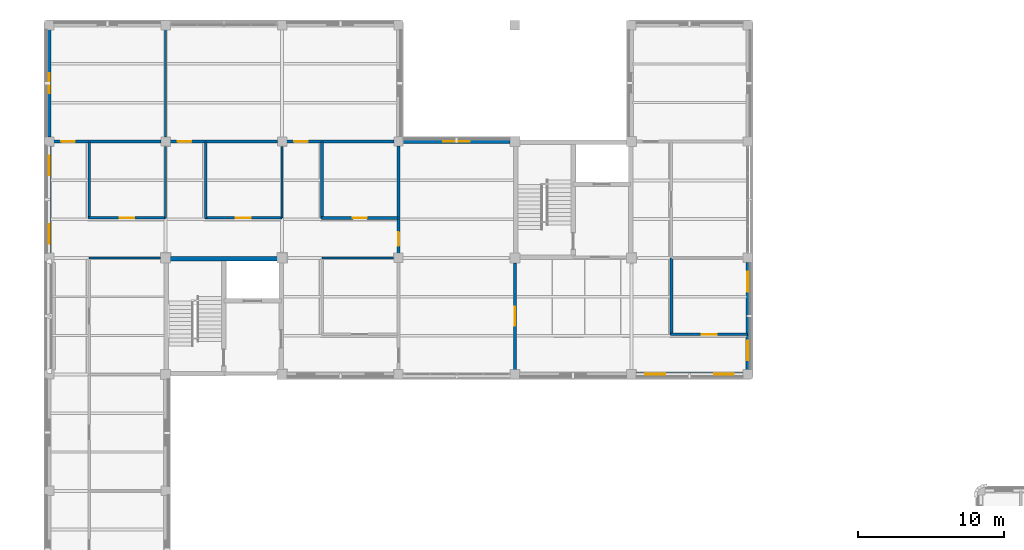
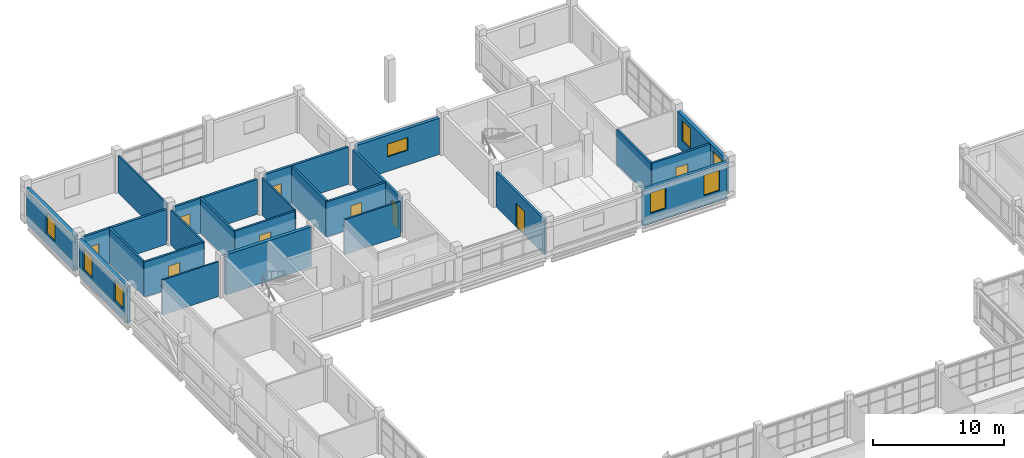
# One storey, part 79 of 107: 24 walls, 9 doors, 8 windows, 17 openings.
"""IFC4 building model written with IfcOpenShell, lengths in metres."""

from ifc_helpers import new_model, si_unit, derived_unit, direction, frame, frame_2d, origin, place, context, subcontext, project, spatial, rectangle, extrude, material, layer, layer_set, type_object, element, fill, save


model = new_model("IFC4")

# Units and contexts
model_context = context("Model", 3, precision=1e-05, world=origin(), true_north=direction((0.0, 1.0)))
body_context = subcontext(model_context, "Body", "Model", "MODEL_VIEW")
ifc_project = project(units=[si_unit("LENGTHUNIT", "METRE"), si_unit("AREAUNIT", "SQUARE_METRE"), si_unit("VOLUMEUNIT", "CUBIC_METRE"), si_unit("PLANEANGLEUNIT", "RADIAN"), si_unit("MASSUNIT", "GRAM", prefix="KILO"), derived_unit("THERMALTRANSMITTANCEUNIT", [(si_unit("MASSUNIT", "GRAM", prefix="KILO"), 1), (si_unit("TIMEUNIT", "SECOND"), -3), (si_unit("THERMODYNAMICTEMPERATUREUNIT", "KELVIN"), -1)])], contexts=[model_context])

# Site, building, storey
site_placement = place(None, origin())
site = spatial("IfcSite", under=ifc_project, at=site_placement, CompositionType="ELEMENT")
building_placement = place(site_placement, origin())
building = spatial("IfcBuilding", under=site, at=building_placement, Name="Veyamyaing Civic Hall", CompositionType="ELEMENT")
storey_placement = place(building_placement, frame((0.0, 0.0, 13.860107421875)))
storey = spatial("IfcBuildingStorey", under=building, at=storey_placement, Name="L03", CompositionType="ELEMENT", Elevation=13.860107421875)

# Wall, openings, windows
ifc_material_1 = material(Name="Precast concrete C40/50", Category="concrete")
ifc_layer_1 = layer(ifc_material_1, 0.280029296875, Name="Precast concrete C40/50")
ifc_layer_set_1 = layer_set([ifc_layer_1], Name="Precast concrete C40/50")
wall_type_1 = type_object("IfcWallType", Name="WT-04", PredefinedType="SOLIDWALL", material=ifc_layer_set_1)
wall_1_placement = place(storey_placement, frame((0.0, 96.31005859375, 0.0), z_axis=(0.0, 0.0, 1.0), x_axis=(0.0, 1.0, 0.0)))
wall_1 = element("IfcWall", 1, at=wall_1_placement, inside=storey, type_object=wall_type_1, Name="Exterior facade wall WT-04 L03 W 1.13", PredefinedType="SOLIDWALL", context=body_context, shape_type="SweptSolid", body=[
    extrude(rectangle(XDim=7.3798828125, YDim=0.280029296875, at=frame_2d((3.68994140625, 0.0))), origin(), (0.0, 0.0, 1.0), 3.366943359375),
])
opening_1_placement = place(wall_1_placement, frame((0.6533203125, 0.0, 0.949951171875)))
opening_1 = element("IfcOpeningElement", 2, at=opening_1_placement, cuts=wall_1, Name="Opening W-13", PredefinedType="OPENING", context=body_context, shape_type="SweptSolid", body=[
    extrude(rectangle(XDim=1.35009765625, YDim=1.89990234375, at=frame_2d((0.675048828125, 0.949951171875))), frame((0.0, 0.14990234375, 0.0), z_axis=(0.0, -1.0, 0.0), x_axis=(1.0, 0.0, 0.0)), (0.0, 0.0, 1.0), 0.300048828125),
])
opening_2_placement = place(wall_1_placement, frame((5.376708984375, 0.0, 0.949951171875)))
opening_2 = element("IfcOpeningElement", 3, at=opening_2_placement, cuts=wall_1, Name="Opening W-13", PredefinedType="OPENING", context=body_context, shape_type="SweptSolid", body=[
    extrude(rectangle(XDim=1.35009765625, YDim=1.89990234375, at=frame_2d((0.675048828125, 0.949951171875))), frame((0.0, 0.14990234375, 0.0), z_axis=(0.0, -1.0, 0.0), x_axis=(1.0, 0.0, 0.0)), (0.0, 0.0, 1.0), 0.300048828125),
])
ifc_material_2 = material(Name="Low-E insulated glass", Category="glass")
window_type_1 = type_object("IfcWindowType", Name="W-13", PartitioningType="SINGLE_PANEL", PredefinedType="WINDOW", material=ifc_material_2)
window_1_placement = place(opening_1_placement, origin())
window_1 = element("IfcWindow", 4, at=window_1_placement, inside=storey, type_object=window_type_1, Name="Facade window W-13 L03 W 1.13.1", OverallHeight=1.89990234375, OverallWidth=1.35009765625, PartitioningType="SINGLE_PANEL", PredefinedType="WINDOW", context=body_context, shape_type="SweptSolid", body=[
    extrude(rectangle(XDim=1.35009765625, YDim=1.89990234375, at=frame_2d((0.675048828125, 0.949951171875))), frame((0.0, 0.030029296875, 0.0), z_axis=(0.0, -1.0, 0.0), x_axis=(1.0, 0.0, 0.0)), (0.0, 0.0, 1.0), 0.06005859375),
])
fill(opening_1, window_1)
window_2_placement = place(opening_2_placement, origin())
window_2 = element("IfcWindow", 5, at=window_2_placement, inside=storey, type_object=window_type_1, Name="Facade window W-13 L03 W 1.13.2", OverallHeight=1.89990234375, OverallWidth=1.35009765625, PartitioningType="SINGLE_PANEL", PredefinedType="WINDOW", context=body_context, shape_type="SweptSolid", body=[
    extrude(rectangle(XDim=1.35009765625, YDim=1.89990234375, at=frame_2d((0.675048828125, 0.949951171875))), frame((0.0, 0.030029296875, 0.0), z_axis=(0.0, -1.0, 0.0), x_axis=(1.0, 0.0, 0.0)), (0.0, 0.0, 1.0), 0.06005859375),
])
fill(opening_2, window_2)

# Wall, opening, window
wall_2_placement = place(storey_placement, frame((0.0, 104.31005859375, 0.0), z_axis=(0.0, 0.0, 1.0), x_axis=(0.0, 1.0, 0.0)))
wall_2 = element("IfcWall", 6, at=wall_2_placement, inside=storey, type_object=wall_type_1, Name="Exterior facade wall WT-04 L03 W 1.14", PredefinedType="SOLIDWALL", context=body_context, shape_type="SweptSolid", body=[
    extrude(rectangle(XDim=7.3798828125, YDim=0.280029296875, at=frame_2d((3.68994140625, 0.0))), origin(), (0.0, 0.0, 1.0), 3.2998046875),
])
opening_3_placement = place(wall_2_placement, frame((3.014892578125, 0.0, 0.89990234375)))
opening_3 = element("IfcOpeningElement", 7, at=opening_3_placement, cuts=wall_2, Name="Opening W-13", PredefinedType="OPENING", context=body_context, shape_type="SweptSolid", body=[
    extrude(rectangle(XDim=1.35009765625, YDim=1.89990234375, at=frame_2d((0.675048828125, 0.949951171875))), frame((0.0, 0.14990234375, 0.0), z_axis=(0.0, -1.0, 0.0), x_axis=(1.0, 0.0, 0.0)), (0.0, 0.0, 1.0), 0.300048828125),
])
window_3_placement = place(opening_3_placement, origin())
window_3 = element("IfcWindow", 8, at=window_3_placement, inside=storey, type_object=window_type_1, Name="Facade window W-13 L03 W 1.14", OverallHeight=1.89990234375, OverallWidth=1.35009765625, PartitioningType="SINGLE_PANEL", PredefinedType="WINDOW", context=body_context, shape_type="SweptSolid", body=[
    extrude(rectangle(XDim=1.35009765625, YDim=1.89990234375, at=frame_2d((0.675048828125, 0.949951171875))), frame((0.0, 0.030029296875, 0.0), z_axis=(0.0, -1.0, 0.0), x_axis=(1.0, 0.0, 0.0)), (0.0, 0.0, 1.0), 0.06005859375),
])
fill(opening_3, window_3)

wall_3_placement = place(storey_placement, frame((24.31005859375, 104.0, 0.0), z_axis=(0.0, 0.0, 1.0), x_axis=(1.0, 0.0, 0.0)))
wall_3 = element("IfcWall", 9, at=wall_3_placement, inside=storey, type_object=wall_type_1, Name="Exterior facade wall WT-04 L03 N 4.13", PredefinedType="SOLIDWALL", context=body_context, shape_type="SweptSolid", body=[
    extrude(rectangle(XDim=7.35498046875, YDim=0.280029296875, at=frame_2d((3.677490234375, 0.0))), origin(), (0.0, 0.0, 1.0), 3.366943359375),
])
opening_4_placement = place(wall_3_placement, frame((2.777587890625, 0.0, 1.35009765625)))
opening_4 = element("IfcOpeningElement", 10, at=opening_4_placement, cuts=wall_3, Name="Opening W-19", PredefinedType="OPENING", context=body_context, shape_type="SweptSolid", body=[
    extrude(rectangle(XDim=1.800048828125, YDim=1.199951171875, at=frame_2d((0.89990234375, 0.60009765625))), frame((0.0, 0.14990234375, 0.0), z_axis=(0.0, -1.0, 0.0), x_axis=(1.0, 0.0, 0.0)), (0.0, 0.0, 1.0), 0.300048828125),
])
window_type_2 = type_object("IfcWindowType", Name="W-19", PartitioningType="SINGLE_PANEL", PredefinedType="WINDOW", material=ifc_material_2)
window_4_placement = place(opening_4_placement, origin())
window_4 = element("IfcWindow", 11, at=window_4_placement, inside=storey, type_object=window_type_2, Name="Facade window W-19 L03 N 4.13", OverallHeight=1.199951171875, OverallWidth=1.800048828125, PartitioningType="SINGLE_PANEL", PredefinedType="WINDOW", context=body_context, shape_type="SweptSolid", body=[
    extrude(rectangle(XDim=1.800048828125, YDim=1.199951171875, at=frame_2d((0.89990234375, 0.60009765625))), frame((0.0, 0.030029296875, 0.0), z_axis=(0.0, -1.0, 0.0), x_axis=(1.0, 0.0, 0.0)), (0.0, 0.0, 1.0), 0.06005859375),
])
fill(opening_4, window_4)

# Wall, openings, windows
wall_4_placement = place(storey_placement, frame((40.31005859375, 88.0, 0.0), z_axis=(0.0, 0.0, 1.0), x_axis=(1.0, 0.0, 0.0)))
wall_4 = element("IfcWall", 12, at=wall_4_placement, inside=storey, type_object=wall_type_1, Name="Exterior facade wall WT-04 L03 S 6.12", PredefinedType="SOLIDWALL", context=body_context, shape_type="SweptSolid", body=[
    extrude(rectangle(XDim=7.3798828125, YDim=0.280029296875, at=frame_2d((3.68994140625, 0.0))), origin(), (0.0, 0.0, 1.0), 3.366943359375),
])
opening_5_placement = place(wall_4_placement, frame((0.6533203125, 0.0, 0.949951171875)))
opening_5 = element("IfcOpeningElement", 13, at=opening_5_placement, cuts=wall_4, Name="Opening W-13", PredefinedType="OPENING", context=body_context, shape_type="SweptSolid", body=[
    extrude(rectangle(XDim=1.35009765625, YDim=1.89990234375, at=frame_2d((0.675048828125, 0.949951171875))), frame((0.0, 0.14990234375, 0.0), z_axis=(0.0, -1.0, 0.0), x_axis=(1.0, 0.0, 0.0)), (0.0, 0.0, 1.0), 0.300048828125),
])
opening_6_placement = place(wall_4_placement, frame((5.376708984375, 0.0, 0.949951171875)))
opening_6 = element("IfcOpeningElement", 14, at=opening_6_placement, cuts=wall_4, Name="Opening W-13", PredefinedType="OPENING", context=body_context, shape_type="SweptSolid", body=[
    extrude(rectangle(XDim=1.35009765625, YDim=1.89990234375, at=frame_2d((0.675048828125, 0.949951171875))), frame((0.0, 0.14990234375, 0.0), z_axis=(0.0, -1.0, 0.0), x_axis=(1.0, 0.0, 0.0)), (0.0, 0.0, 1.0), 0.300048828125),
])
window_5_placement = place(opening_5_placement, origin())
window_5 = element("IfcWindow", 15, at=window_5_placement, inside=storey, type_object=window_type_1, Name="Facade window W-13 L03 S 6.12.1", OverallHeight=1.89990234375, OverallWidth=1.35009765625, PartitioningType="SINGLE_PANEL", PredefinedType="WINDOW", context=body_context, shape_type="SweptSolid", body=[
    extrude(rectangle(XDim=1.35009765625, YDim=1.89990234375, at=frame_2d((0.675048828125, 0.949951171875))), frame((0.0, 0.030029296875, 0.0), z_axis=(0.0, -1.0, 0.0), x_axis=(1.0, 0.0, 0.0)), (0.0, 0.0, 1.0), 0.06005859375),
])
fill(opening_5, window_5)
window_6_placement = place(opening_6_placement, origin())
window_6 = element("IfcWindow", 16, at=window_6_placement, inside=storey, type_object=window_type_1, Name="Facade window W-13 L03 S 6.12.2", OverallHeight=1.89990234375, OverallWidth=1.35009765625, PartitioningType="SINGLE_PANEL", PredefinedType="WINDOW", context=body_context, shape_type="SweptSolid", body=[
    extrude(rectangle(XDim=1.35009765625, YDim=1.89990234375, at=frame_2d((0.675048828125, 0.949951171875))), frame((0.0, 0.030029296875, 0.0), z_axis=(0.0, -1.0, 0.0), x_axis=(1.0, 0.0, 0.0)), (0.0, 0.0, 1.0), 0.06005859375),
])
fill(opening_6, window_6)

wall_5_placement = place(storey_placement, frame((48.0, 88.31005859375, 0.0), z_axis=(0.0, 0.0, 1.0), x_axis=(0.0, 1.0, 0.0)))
wall_5 = element("IfcWall", 17, at=wall_5_placement, inside=storey, type_object=wall_type_1, Name="Exterior facade wall WT-04 L03 E 6.12", PredefinedType="SOLIDWALL", context=body_context, shape_type="SweptSolid", body=[
    extrude(rectangle(XDim=7.3798828125, YDim=0.280029296875, at=frame_2d((3.68994140625, 0.0))), origin(), (0.0, 0.0, 1.0), 3.2998046875),
])
opening_7_placement = place(wall_5_placement, frame((0.6533203125, 0.0, 0.949951171875)))
opening_7 = element("IfcOpeningElement", 18, at=opening_7_placement, cuts=wall_5, Name="Opening W-13", PredefinedType="OPENING", context=body_context, shape_type="SweptSolid", body=[
    extrude(rectangle(XDim=1.35009765625, YDim=1.89990234375, at=frame_2d((0.675048828125, 0.949951171875))), frame((0.0, 0.14990234375, 0.0), z_axis=(0.0, -1.0, 0.0), x_axis=(1.0, 0.0, 0.0)), (0.0, 0.0, 1.0), 0.300048828125),
])
opening_8_placement = place(wall_5_placement, frame((5.376708984375, 0.0, 0.949951171875)))
opening_8 = element("IfcOpeningElement", 19, at=opening_8_placement, cuts=wall_5, Name="Opening W-13", PredefinedType="OPENING", context=body_context, shape_type="SweptSolid", body=[
    extrude(rectangle(XDim=1.35009765625, YDim=1.89990234375, at=frame_2d((0.675048828125, 0.949951171875))), frame((0.0, 0.14990234375, 0.0), z_axis=(0.0, -1.0, 0.0), x_axis=(1.0, 0.0, 0.0)), (0.0, 0.0, 1.0), 0.300048828125),
])
window_7_placement = place(opening_7_placement, origin())
window_7 = element("IfcWindow", 20, at=window_7_placement, inside=storey, type_object=window_type_1, Name="Facade window W-13 L03 E 6.12.1", OverallHeight=1.89990234375, OverallWidth=1.35009765625, PartitioningType="SINGLE_PANEL", PredefinedType="WINDOW", context=body_context, shape_type="SweptSolid", body=[
    extrude(rectangle(XDim=1.35009765625, YDim=1.89990234375, at=frame_2d((0.675048828125, 0.949951171875))), frame((0.0, 0.030029296875, 0.0), z_axis=(0.0, -1.0, 0.0), x_axis=(1.0, 0.0, 0.0)), (0.0, 0.0, 1.0), 0.06005859375),
])
fill(opening_7, window_7)
window_8_placement = place(opening_8_placement, origin())
window_8 = element("IfcWindow", 21, at=window_8_placement, inside=storey, type_object=window_type_1, Name="Facade window W-13 L03 E 6.12.2", OverallHeight=1.89990234375, OverallWidth=1.35009765625, PartitioningType="SINGLE_PANEL", PredefinedType="WINDOW", context=body_context, shape_type="SweptSolid", body=[
    extrude(rectangle(XDim=1.35009765625, YDim=1.89990234375, at=frame_2d((0.675048828125, 0.949951171875))), frame((0.0, 0.030029296875, 0.0), z_axis=(0.0, -1.0, 0.0), x_axis=(1.0, 0.0, 0.0)), (0.0, 0.0, 1.0), 0.06005859375),
])
fill(opening_8, window_8)

# Wall
ifc_material_3 = material(Name="Concrete C40/50", Category="concrete")
ifc_layer_2 = layer(ifc_material_3, 0.300048828125, Name="Concrete C40/50")
ifc_layer_set_2 = layer_set([ifc_layer_2], Name="Concrete C40/50")
wall_type_2 = type_object("IfcWallType", Name="WT-05", PredefinedType="SHEAR", material=ifc_layer_set_2)
wall_6_placement = place(storey_placement, frame((8.239990234375, 95.949951171875, 0.0), z_axis=(0.0, 0.0, 1.0), x_axis=(1.0, 0.0, 0.0)))
element("IfcWall", 22, at=wall_6_placement, inside=storey, type_object=wall_type_2, Name="Core shear wall WT-05 CORE-1 L03.N", PredefinedType="SHEAR", context=body_context, shape_type="SweptSolid", body=[
    extrude(rectangle(XDim=7.52001953125, YDim=0.300048828125, at=frame_2d((3.760009765625, 0.0))), origin(), (0.0, 0.0, 1.0), 3.724853515625),
])

# Wall, opening, door
ifc_layer_3 = layer(ifc_material_3, 0.199951171875, Name="Concrete C40/50")
ifc_layer_set_3 = layer_set([ifc_layer_3], Name="Concrete C40/50")
wall_type_3 = type_object("IfcWallType", Name="WT-06", PredefinedType="PARTITIONING", material=ifc_layer_set_3)
wall_7_placement = place(storey_placement, frame((0.31494140625, 104.0, 0.0), z_axis=(0.0, 0.0, 1.0), x_axis=(1.0, 0.0, 0.0)))
wall_7 = element("IfcWall", 23, at=wall_7_placement, inside=storey, type_object=wall_type_3, Name="Interior partition wall WT-06 L03.3", PredefinedType="PARTITIONING", context=body_context, shape_type="SweptSolid", body=[
    extrude(rectangle(XDim=7.3701171875, YDim=0.199951171875, at=frame_2d((3.68505859375, 0.0))), origin(), (0.0, 0.0, 1.0), 3.2529296875),
])
opening_9_placement = place(wall_7_placement, frame((0.52001953125, 0.0, 0.0)))
opening_9 = element("IfcOpeningElement", 24, at=opening_9_placement, cuts=wall_7, Name="Opening D-30", PredefinedType="OPENING", context=body_context, shape_type="SweptSolid", body=[
    extrude(rectangle(XDim=0.93994140625, YDim=2.1201171875, at=frame_2d((0.469970703125, 1.06005859375))), frame((0.0, 0.10986328125, 0.0), z_axis=(0.0, -1.0, 0.0), x_axis=(1.0, 0.0, 0.0)), (0.0, 0.0, 1.0), 0.219970703125),
])
ifc_material_4 = material(Name="Teak-veneered acoustic timber", Category="wood")
door_type_1 = type_object("IfcDoorType", Name="D-30", OperationType="NOTDEFINED", PredefinedType="DOOR", material=ifc_material_4)
door_1_placement = place(opening_9_placement, origin())
door_1 = element("IfcDoor", 25, at=door_1_placement, inside=storey, type_object=door_type_1, Name="Interior door D-30 L03.3", OperationType="SINGLE_SWING_RIGHT", OverallHeight=2.1201171875, OverallWidth=0.93994140625, PredefinedType="DOOR", context=body_context, shape_type="SweptSolid", body=[
    extrude(rectangle(XDim=0.93994140625, YDim=2.1201171875, at=frame_2d((0.469970703125, 1.06005859375))), frame((0.0, 0.02490234375, 0.0), z_axis=(0.0, -1.0, 0.0), x_axis=(1.0, 0.0, 0.0)), (0.0, 0.0, 1.0), 0.050048828125),
])
fill(opening_9, door_1)

wall_8_placement = place(storey_placement, frame((8.31494140625, 104.0, 0.0), z_axis=(0.0, 0.0, 1.0), x_axis=(1.0, 0.0, 0.0)))
wall_8 = element("IfcWall", 26, at=wall_8_placement, inside=storey, type_object=wall_type_3, Name="Interior partition wall WT-06 L03.6", PredefinedType="PARTITIONING", context=body_context, shape_type="SweptSolid", body=[
    extrude(rectangle(XDim=7.3701171875, YDim=0.199951171875, at=frame_2d((3.68505859375, 0.0))), origin(), (0.0, 0.0, 1.0), 3.240966796875),
])
opening_10_placement = place(wall_8_placement, frame((0.52001953125, 0.0, 0.0)))
opening_10 = element("IfcOpeningElement", 27, at=opening_10_placement, cuts=wall_8, Name="Opening D-30", PredefinedType="OPENING", context=body_context, shape_type="SweptSolid", body=[
    extrude(rectangle(XDim=0.93994140625, YDim=2.1201171875, at=frame_2d((0.469970703125, 1.06005859375))), frame((0.0, 0.10986328125, 0.0), z_axis=(0.0, -1.0, 0.0), x_axis=(1.0, 0.0, 0.0)), (0.0, 0.0, 1.0), 0.219970703125),
])
door_2_placement = place(opening_10_placement, origin())
door_2 = element("IfcDoor", 28, at=door_2_placement, inside=storey, type_object=door_type_1, Name="Interior door D-30 L03.6", OperationType="SINGLE_SWING_LEFT", OverallHeight=2.1201171875, OverallWidth=0.93994140625, PredefinedType="DOOR", context=body_context, shape_type="SweptSolid", body=[
    extrude(rectangle(XDim=0.93994140625, YDim=2.1201171875, at=frame_2d((0.469970703125, 1.06005859375))), frame((0.0, 0.02490234375, 0.0), z_axis=(0.0, -1.0, 0.0), x_axis=(1.0, 0.0, 0.0)), (0.0, 0.0, 1.0), 0.050048828125),
])
fill(opening_10, door_2)

wall_9_placement = place(storey_placement, frame((24.0, 96.31494140625, 0.0), z_axis=(0.0, 0.0, 1.0), x_axis=(0.0, 1.0, 0.0)))
wall_9 = element("IfcWall", 29, at=wall_9_placement, inside=storey, type_object=wall_type_3, Name="Interior partition wall WT-06 L03.8", PredefinedType="PARTITIONING", context=body_context, shape_type="SweptSolid", body=[
    extrude(rectangle(XDim=7.3701171875, YDim=0.199951171875, at=frame_2d((3.68505859375, 0.0))), origin(), (0.0, 0.0, 1.0), 3.246826171875),
])
opening_11_placement = place(wall_9_placement, frame((0.52001953125, 0.0, 0.0)))
opening_11 = element("IfcOpeningElement", 30, at=opening_11_placement, cuts=wall_9, Name="Opening D-30", PredefinedType="OPENING", context=body_context, shape_type="SweptSolid", body=[
    extrude(rectangle(XDim=0.93994140625, YDim=2.1201171875, at=frame_2d((0.469970703125, 1.06005859375))), frame((0.0, 0.10986328125, 0.0), z_axis=(0.0, -1.0, 0.0), x_axis=(1.0, 0.0, 0.0)), (0.0, 0.0, 1.0), 0.219970703125),
])
door_3_placement = place(opening_11_placement, frame((0.93994140625, 0.0, 0.0), z_axis=(0.0, 0.0, 1.0), x_axis=(-1.0, 0.0, 0.0)))
door_3 = element("IfcDoor", 31, at=door_3_placement, inside=storey, type_object=door_type_1, Name="Interior door D-30 L03.8", OperationType="SINGLE_SWING_LEFT", OverallHeight=2.1201171875, OverallWidth=0.93994140625, PredefinedType="DOOR", context=body_context, shape_type="SweptSolid", body=[
    extrude(rectangle(XDim=0.93994140625, YDim=2.1201171875, at=frame_2d((0.469970703125, 1.06005859375))), frame((0.0, 0.02490234375, 0.0), z_axis=(0.0, -1.0, 0.0), x_axis=(1.0, 0.0, 0.0)), (0.0, 0.0, 1.0), 0.050048828125),
])
fill(opening_11, door_3)

wall_10_placement = place(storey_placement, frame((16.31494140625, 104.0, 0.0), z_axis=(0.0, 0.0, 1.0), x_axis=(1.0, 0.0, 0.0)))
wall_10 = element("IfcWall", 32, at=wall_10_placement, inside=storey, type_object=wall_type_3, Name="Interior partition wall WT-06 L03.9", PredefinedType="PARTITIONING", context=body_context, shape_type="SweptSolid", body=[
    extrude(rectangle(XDim=7.3701171875, YDim=0.199951171875, at=frame_2d((3.68505859375, 0.0))), origin(), (0.0, 0.0, 1.0), 3.451904296875),
])
opening_12_placement = place(wall_10_placement, frame((0.52001953125, 0.0, 0.0)))
opening_12 = element("IfcOpeningElement", 33, at=opening_12_placement, cuts=wall_10, Name="Opening D-30", PredefinedType="OPENING", context=body_context, shape_type="SweptSolid", body=[
    extrude(rectangle(XDim=0.93994140625, YDim=2.1201171875, at=frame_2d((0.469970703125, 1.06005859375))), frame((0.0, 0.10986328125, 0.0), z_axis=(0.0, -1.0, 0.0), x_axis=(1.0, 0.0, 0.0)), (0.0, 0.0, 1.0), 0.219970703125),
])
door_4_placement = place(opening_12_placement, origin())
door_4 = element("IfcDoor", 34, at=door_4_placement, inside=storey, type_object=door_type_1, Name="Interior door D-30 L03.9", OperationType="SINGLE_SWING_RIGHT", OverallHeight=2.1201171875, OverallWidth=0.93994140625, PredefinedType="DOOR", context=body_context, shape_type="SweptSolid", body=[
    extrude(rectangle(XDim=0.93994140625, YDim=2.1201171875, at=frame_2d((0.469970703125, 1.06005859375))), frame((0.0, 0.02490234375, 0.0), z_axis=(0.0, -1.0, 0.0), x_axis=(1.0, 0.0, 0.0)), (0.0, 0.0, 1.0), 0.050048828125),
])
fill(opening_12, door_4)

wall_11_placement = place(storey_placement, frame((32.0, 88.31494140625, 0.0), z_axis=(0.0, 0.0, 1.0), x_axis=(0.0, 1.0, 0.0)))
wall_11 = element("IfcWall", 35, at=wall_11_placement, inside=storey, type_object=wall_type_3, Name="Interior partition wall WT-06 L03.10", PredefinedType="PARTITIONING", context=body_context, shape_type="SweptSolid", body=[
    extrude(rectangle(XDim=7.344970703125, YDim=0.199951171875, at=frame_2d((3.67236328125, 0.0))), origin(), (0.0, 0.0, 1.0), 3.246826171875),
])
opening_13_placement = place(wall_11_placement, frame((3.0224609375, 0.0, 0.0)))
opening_13 = element("IfcOpeningElement", 36, at=opening_13_placement, cuts=wall_11, Name="Opening D-18", PredefinedType="OPENING", context=body_context, shape_type="SweptSolid", body=[
    extrude(rectangle(XDim=1.300048828125, YDim=2.199951171875, at=frame_2d((0.64990234375, 1.10009765625))), frame((0.0, 0.10986328125, 0.0), z_axis=(0.0, -1.0, 0.0), x_axis=(1.0, 0.0, 0.0)), (0.0, 0.0, 1.0), 0.219970703125),
])
ifc_material_5 = material(Name="Anodised aluminium 6063-T6", Category="aluminium")
door_type_2 = type_object("IfcDoorType", Name="D-18", OperationType="DOUBLE_DOOR_SINGLE_SWING", PredefinedType="DOOR", material=ifc_material_5)
door_5_placement = place(opening_13_placement, origin())
door_5 = element("IfcDoor", 37, at=door_5_placement, inside=storey, type_object=door_type_2, Name="Interior door D-18 L03.10", OperationType="DOUBLE_DOOR_SINGLE_SWING", OverallHeight=2.199951171875, OverallWidth=1.300048828125, PredefinedType="DOOR", context=body_context, shape_type="SweptSolid", body=[
    extrude(rectangle(XDim=1.300048828125, YDim=2.199951171875, at=frame_2d((0.64990234375, 1.10009765625))), frame((0.0, 0.02490234375, 0.0), z_axis=(0.0, -1.0, 0.0), x_axis=(1.0, 0.0, 0.0)), (0.0, 0.0, 1.0), 0.050048828125),
])
fill(opening_13, door_5)

ifc_material_6 = material(Name="Gypsum board on acoustic steel stud", Category="steel")
ifc_layer_4 = layer(ifc_material_6, 0.175048828125, Name="Gypsum board on acoustic steel stud")
ifc_layer_set_4 = layer_set([ifc_layer_4], Name="Gypsum board on acoustic steel stud")
wall_type_4 = type_object("IfcWallType", Name="WT-07", PredefinedType="PARTITIONING", material=ifc_layer_set_4)
wall_12_placement = place(storey_placement, frame((2.699951171875, 98.75, 0.0), z_axis=(0.0, 0.0, 1.0), x_axis=(1.0, 0.0, 0.0)))
wall_12 = element("IfcWall", 38, at=wall_12_placement, inside=storey, type_object=wall_type_4, Name="Corridor gallery partition WT-07 L03.7.1", PredefinedType="PARTITIONING", context=body_context, shape_type="SweptSolid", body=[
    extrude(rectangle(XDim=5.280029296875, YDim=0.175048828125, at=frame_2d((2.64013671875, 0.0))), origin(), (0.0, 0.0, 1.0), 3.2529296875),
])
opening_14_placement = place(wall_12_placement, frame((2.139892578125, 0.0, 0.0)))
opening_14 = element("IfcOpeningElement", 39, at=opening_14_placement, cuts=wall_12, Name="Opening D-13", PredefinedType="OPENING", context=body_context, shape_type="SweptSolid", body=[
    extrude(rectangle(XDim=1.0, YDim=2.14990234375, at=frame_2d((0.5, 1.074951171875))), frame((0.0, 0.097412109375, 0.0), z_axis=(0.0, -1.0, 0.0), x_axis=(1.0, 0.0, 0.0)), (0.0, 0.0, 1.0), 0.195068359375),
])
door_type_3 = type_object("IfcDoorType", Name="D-13", OperationType="NOTDEFINED", PredefinedType="DOOR", material=ifc_material_4)
door_6_placement = place(opening_14_placement, origin())
door_6 = element("IfcDoor", 40, at=door_6_placement, inside=storey, type_object=door_type_3, Name="Gallery office door D-13 L03.7", OperationType="SINGLE_SWING_LEFT", OverallHeight=2.14990234375, OverallWidth=1.0, PredefinedType="DOOR", context=body_context, shape_type="SweptSolid", body=[
    extrude(rectangle(XDim=1.0, YDim=2.14990234375, at=frame_2d((0.5, 1.074951171875))), frame((0.0, 0.02490234375, 0.0), z_axis=(0.0, -1.0, 0.0), x_axis=(1.0, 0.0, 0.0)), (0.0, 0.0, 1.0), 0.050048828125),
])
fill(opening_14, door_6)

# Wall
wall_13_placement = place(storey_placement, frame((2.75, 98.699951171875, 0.0), z_axis=(0.0, 0.0, 1.0), x_axis=(0.0, 1.0, 0.0)))
element("IfcWall", 41, at=wall_13_placement, inside=storey, type_object=wall_type_4, Name="Corridor gallery partition WT-07 L03.7.2", PredefinedType="PARTITIONING", context=body_context, shape_type="SweptSolid", body=[
    extrude(rectangle(XDim=5.280029296875, YDim=0.175048828125, at=frame_2d((2.64013671875, 0.0))), origin(), (0.0, 0.0, 1.0), 3.2529296875),
])

# Wall, opening, door
wall_14_placement = place(storey_placement, frame((10.699951171875, 98.75, 0.0), z_axis=(0.0, 0.0, 1.0), x_axis=(1.0, 0.0, 0.0)))
wall_14 = element("IfcWall", 42, at=wall_14_placement, inside=storey, type_object=wall_type_4, Name="Corridor gallery partition WT-07 L03.9.1", PredefinedType="PARTITIONING", context=body_context, shape_type="SweptSolid", body=[
    extrude(rectangle(XDim=5.280029296875, YDim=0.175048828125, at=frame_2d((2.64013671875, 0.0))), origin(), (0.0, 0.0, 1.0), 3.35791015625),
])
opening_15_placement = place(wall_14_placement, frame((2.1298828125, 0.0, 0.0)))
opening_15 = element("IfcOpeningElement", 43, at=opening_15_placement, cuts=wall_14, Name="Opening D-19", PredefinedType="OPENING", context=body_context, shape_type="SweptSolid", body=[
    extrude(rectangle(XDim=1.02001953125, YDim=2.199951171875, at=frame_2d((0.510009765625, 1.10009765625))), frame((0.0, 0.097412109375, 0.0), z_axis=(0.0, -1.0, 0.0), x_axis=(1.0, 0.0, 0.0)), (0.0, 0.0, 1.0), 0.195068359375),
])
door_type_4 = type_object("IfcDoorType", Name="D-19", OperationType="NOTDEFINED", PredefinedType="DOOR", material=ifc_material_4)
door_7_placement = place(opening_15_placement, origin())
door_7 = element("IfcDoor", 44, at=door_7_placement, inside=storey, type_object=door_type_4, Name="Gallery office door D-19 L03.9", OperationType="SINGLE_SWING_LEFT", OverallHeight=2.199951171875, OverallWidth=1.02001953125, PredefinedType="DOOR", context=body_context, shape_type="SweptSolid", body=[
    extrude(rectangle(XDim=1.02001953125, YDim=2.199951171875, at=frame_2d((0.510009765625, 1.10009765625))), frame((0.0, 0.02490234375, 0.0), z_axis=(0.0, -1.0, 0.0), x_axis=(1.0, 0.0, 0.0)), (0.0, 0.0, 1.0), 0.050048828125),
])
fill(opening_15, door_7)

# Walls
wall_15_placement = place(storey_placement, frame((10.75, 98.699951171875, 0.0), z_axis=(0.0, 0.0, 1.0), x_axis=(0.0, 1.0, 0.0)))
element("IfcWall", 45, at=wall_15_placement, inside=storey, type_object=wall_type_4, Name="Corridor gallery partition WT-07 L03.9.2", PredefinedType="PARTITIONING", context=body_context, shape_type="SweptSolid", body=[
    extrude(rectangle(XDim=5.280029296875, YDim=0.175048828125, at=frame_2d((2.64013671875, 0.0))), origin(), (0.0, 0.0, 1.0), 3.240966796875),
])
ifc_material_7 = material(Name="Gypsum board on steel stud", Category="steel")
ifc_layer_5 = layer(ifc_material_7, 0.14990234375, Name="Gypsum board on steel stud")
ifc_layer_set_5 = layer_set([ifc_layer_5], Name="Gypsum board on steel stud")
wall_type_5 = type_object("IfcWallType", Name="WT-08", PredefinedType="PARTITIONING", material=ifc_layer_set_5)
wall_16_placement = place(storey_placement, frame((2.75, 96.0, 0.0), z_axis=(0.0, 0.0, 1.0), x_axis=(1.0, 0.0, 0.0)))
element("IfcWall", 46, at=wall_16_placement, inside=storey, type_object=wall_type_5, Name="Gallery office end partition WT-08 L03.6.2", PredefinedType="PARTITIONING", context=body_context, shape_type="SweptSolid", body=[
    extrude(rectangle(XDim=4.889892578125, YDim=0.14990234375, at=frame_2d((2.44482421875, 0.0))), origin(), (0.0, 0.0, 1.0), 3.246826171875),
])
wall_17_placement = place(storey_placement, frame((8.0, 98.75, 0.0), z_axis=(0.0, 0.0, 1.0), x_axis=(0.0, 1.0, 0.0)))
element("IfcWall", 47, at=wall_17_placement, inside=storey, type_object=wall_type_5, Name="Gallery office end partition WT-08 L03.7.2", PredefinedType="PARTITIONING", context=body_context, shape_type="SweptSolid", body=[
    extrude(rectangle(XDim=4.9150390625, YDim=0.14990234375, at=frame_2d((2.45751953125, 0.0))), origin(), (0.0, 0.0, 1.0), 3.2529296875),
])
wall_18_placement = place(storey_placement, frame((16.0, 98.75, 0.0), z_axis=(0.0, 0.0, 1.0), x_axis=(0.0, 1.0, 0.0)))
element("IfcWall", 48, at=wall_18_placement, inside=storey, type_object=wall_type_5, Name="Gallery office end partition WT-08 L03.9.2", PredefinedType="PARTITIONING", context=body_context, shape_type="SweptSolid", body=[
    extrude(rectangle(XDim=4.9150390625, YDim=0.14990234375, at=frame_2d((2.45751953125, 0.0))), origin(), (0.0, 0.0, 1.0), 3.451904296875),
])
wall_19_placement = place(storey_placement, frame((18.75, 96.0, 0.0), z_axis=(0.0, 0.0, 1.0), x_axis=(1.0, 0.0, 0.0)))
element("IfcWall", 49, at=wall_19_placement, inside=storey, type_object=wall_type_5, Name="Gallery office end partition WT-08 L03.11.1", PredefinedType="PARTITIONING", context=body_context, shape_type="SweptSolid", body=[
    extrude(rectangle(XDim=4.9150390625, YDim=0.14990234375, at=frame_2d((2.45751953125, 0.0))), origin(), (0.0, 0.0, 1.0), 3.240966796875),
])
wall_20_placement = place(storey_placement, frame((8.0, 104.31494140625, 0.0), z_axis=(0.0, 0.0, 1.0), x_axis=(0.0, 1.0, 0.0)))
element("IfcWall", 50, at=wall_20_placement, inside=storey, type_object=wall_type_5, Name="Interior partition wall WT-08 L03.4", PredefinedType="PARTITIONING", context=body_context, shape_type="SweptSolid", body=[
    extrude(rectangle(XDim=7.3701171875, YDim=0.14990234375, at=frame_2d((3.68505859375, 0.0))), origin(), (0.0, 0.0, 1.0), 3.451904296875),
])

# Wall, opening, door
ifc_material_8 = material(Name="Gypsum board on double acoustic stud")
ifc_layer_6 = layer(ifc_material_8, 0.18505859375, Name="Gypsum board on double acoustic stud")
ifc_layer_set_6 = layer_set([ifc_layer_6], Name="Gypsum board on double acoustic stud")
wall_type_6 = type_object("IfcWallType", Name="WT-19", PredefinedType="PARTITIONING", material=ifc_layer_set_6)
wall_21_placement = place(storey_placement, frame((18.699951171875, 98.75, 0.0), z_axis=(0.0, 0.0, 1.0), x_axis=(1.0, 0.0, 0.0)))
wall_21 = element("IfcWall", 51, at=wall_21_placement, inside=storey, type_object=wall_type_6, Name="Corridor gallery partition WT-19 L03.12.1", PredefinedType="PARTITIONING", context=body_context, shape_type="SweptSolid", body=[
    extrude(rectangle(XDim=5.280029296875, YDim=0.18505859375, at=frame_2d((2.64013671875, 0.0))), origin(), (0.0, 0.0, 1.0), 3.246826171875),
])
opening_16_placement = place(wall_21_placement, frame((2.159912109375, 0.0, 0.0)))
opening_16 = element("IfcOpeningElement", 52, at=opening_16_placement, cuts=wall_21, Name="Opening D-25", PredefinedType="OPENING", context=body_context, shape_type="SweptSolid", body=[
    extrude(rectangle(XDim=0.9599609375, YDim=2.139892578125, at=frame_2d((0.47998046875, 1.06982421875))), frame((0.0, 0.1025390625, 0.0), z_axis=(0.0, -1.0, 0.0), x_axis=(1.0, 0.0, 0.0)), (0.0, 0.0, 1.0), 0.205078125),
])
door_type_5 = type_object("IfcDoorType", Name="D-25", OperationType="NOTDEFINED", PredefinedType="DOOR", material=ifc_material_4)
door_8_placement = place(opening_16_placement, origin())
door_8 = element("IfcDoor", 53, at=door_8_placement, inside=storey, type_object=door_type_5, Name="Gallery office door D-25 L03.12", OperationType="SINGLE_SWING_RIGHT", OverallHeight=2.139892578125, OverallWidth=0.9599609375, PredefinedType="DOOR", context=body_context, shape_type="SweptSolid", body=[
    extrude(rectangle(XDim=0.9599609375, YDim=2.139892578125, at=frame_2d((0.47998046875, 1.06982421875))), frame((0.0, 0.02490234375, 0.0), z_axis=(0.0, -1.0, 0.0), x_axis=(1.0, 0.0, 0.0)), (0.0, 0.0, 1.0), 0.050048828125),
])
fill(opening_16, door_8)

# Wall
wall_22_placement = place(storey_placement, frame((18.75, 98.699951171875, 0.0), z_axis=(0.0, 0.0, 1.0), x_axis=(0.0, 1.0, 0.0)))
element("IfcWall", 54, at=wall_22_placement, inside=storey, type_object=wall_type_6, Name="Corridor gallery partition WT-19 L03.12.2", PredefinedType="PARTITIONING", context=body_context, shape_type="SweptSolid", body=[
    extrude(rectangle(XDim=5.280029296875, YDim=0.18505859375, at=frame_2d((2.64013671875, 0.0))), origin(), (0.0, 0.0, 1.0), 3.391845703125),
])

# Wall, opening, door
wall_23_placement = place(storey_placement, frame((42.699951171875, 90.75, 0.0), z_axis=(0.0, 0.0, 1.0), x_axis=(1.0, 0.0, 0.0)))
wall_23 = element("IfcWall", 55, at=wall_23_placement, inside=storey, type_object=wall_type_6, Name="Corridor gallery partition WT-19 L03.16.1", PredefinedType="PARTITIONING", context=body_context, shape_type="SweptSolid", body=[
    extrude(rectangle(XDim=5.280029296875, YDim=0.18505859375, at=frame_2d((2.64013671875, 0.0))), origin(), (0.0, 0.0, 1.0), 3.29296875),
])
opening_17_placement = place(wall_23_placement, frame((2.114990234375, 0.0, 0.0)))
opening_17 = element("IfcOpeningElement", 56, at=opening_17_placement, cuts=wall_23, Name="Opening D-12", PredefinedType="OPENING", context=body_context, shape_type="SweptSolid", body=[
    extrude(rectangle(XDim=1.050048828125, YDim=2.14990234375, at=frame_2d((0.52490234375, 1.074951171875))), frame((0.0, 0.1025390625, 0.0), z_axis=(0.0, -1.0, 0.0), x_axis=(1.0, 0.0, 0.0)), (0.0, 0.0, 1.0), 0.205078125),
])
door_type_6 = type_object("IfcDoorType", Name="D-12", OperationType="NOTDEFINED", PredefinedType="DOOR", material=ifc_material_4)
door_9_placement = place(opening_17_placement, origin())
door_9 = element("IfcDoor", 57, at=door_9_placement, inside=storey, type_object=door_type_6, Name="Gallery office door D-12 L03.16", OperationType="SINGLE_SWING_RIGHT", OverallHeight=2.14990234375, OverallWidth=1.050048828125, PredefinedType="DOOR", context=body_context, shape_type="SweptSolid", body=[
    extrude(rectangle(XDim=1.050048828125, YDim=2.14990234375, at=frame_2d((0.52490234375, 1.074951171875))), frame((0.0, 0.02490234375, 0.0), z_axis=(0.0, -1.0, 0.0), x_axis=(1.0, 0.0, 0.0)), (0.0, 0.0, 1.0), 0.050048828125),
])
fill(opening_17, door_9)

# Wall
wall_24_placement = place(storey_placement, frame((42.75, 90.699951171875, 0.0), z_axis=(0.0, 0.0, 1.0), x_axis=(0.0, 1.0, 0.0)))
element("IfcWall", 58, at=wall_24_placement, inside=storey, type_object=wall_type_6, Name="Corridor gallery partition WT-19 L03.16.2", PredefinedType="PARTITIONING", context=body_context, shape_type="SweptSolid", body=[
    extrude(rectangle(XDim=5.280029296875, YDim=0.18505859375, at=frame_2d((2.64013671875, 0.0))), origin(), (0.0, 0.0, 1.0), 3.2529296875),
])

save(model, "model.ifc")
